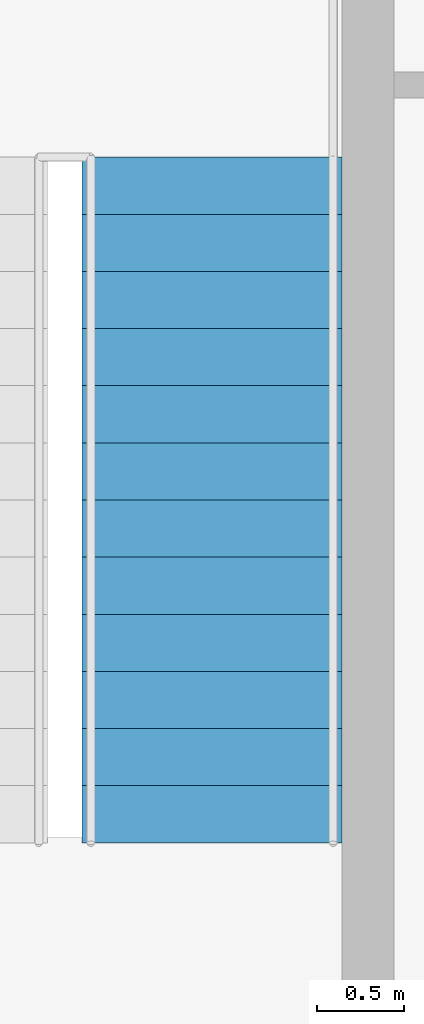
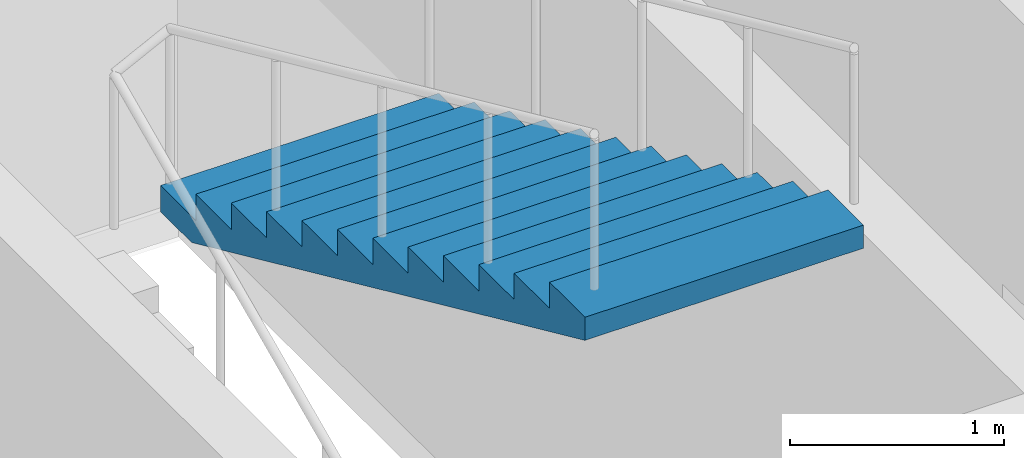
# One storey, part 10 of 11: 1 stair flight, 1 element without a shape of its own.
"""IFC4 building model written with IfcOpenShell, lengths in metres."""

from ifc_helpers import new_model, si_unit, direction, frame, origin, place, context, subcontext, project, spatial, polygons, material, type_object, element, aggregate, save


model = new_model("IFC4")

# Units and contexts
model_context = context("Model", 3, precision=1e-05, world=origin(), true_north=direction((0.0, 1.0)))
body_context = subcontext(model_context, "Body", "Model", "MODEL_VIEW")
ifc_project = project(units=[si_unit("LENGTHUNIT", "METRE"), si_unit("AREAUNIT", "SQUARE_METRE"), si_unit("VOLUMEUNIT", "CUBIC_METRE"), si_unit("PLANEANGLEUNIT", "RADIAN"), si_unit("MASSUNIT", "GRAM", prefix="KILO")], contexts=[model_context])

# Site, building, storey
site_placement = place(None, origin())
site = spatial("IfcSite", under=ifc_project, at=site_placement, CompositionType="ELEMENT")
building_placement = place(site_placement, origin())
building = spatial("IfcBuilding", under=site, at=building_placement, Name="Njiva Tower", CompositionType="ELEMENT")
storey_placement = place(building_placement, frame((0.0, 0.0, 143.7)))
storey = spatial("IfcBuildingStorey", under=building, at=storey_placement, Name="L30", CompositionType="ELEMENT", Elevation=143.7)

# Stair, stair flight
ifc_material = material(Name="Concrete C40/50", Category="concrete")
stair_type = type_object("IfcStairType", Name="ST4 Exit stair 1500", PredefinedType="HALF_TURN_STAIR", material=ifc_material)
stair_placement = place(storey_placement, origin())
stair = element("IfcStair", 1, at=stair_placement, inside=storey, type_object=stair_type, Name="Stair B", PredefinedType="HALF_TURN_STAIR")
stair_flight_type = type_object("IfcStairFlightType", Name="FL4 Stair flight 1500", PredefinedType="STRAIGHT", material=ifc_material)
stair_flight_placement = place(storey_placement, frame((13.45, 15.06, 1.95), z_axis=(0.0, 0.0, 1.0), x_axis=(0.0, -1.0, 0.0)))
stair_flight = element("IfcStairFlight", 2, at=stair_flight_placement, type_object=stair_flight_type, Name="ST-B flight 2", NumberOfRisers=13, NumberOfTreads=12, PredefinedType="STRAIGHT", RiserHeight=0.15, TreadLength=0.33, context=body_context, shape_type="Tessellation", body=[
    polygons([(0.0, 0.75, 0.0), (0.0, 0.375, 0.0), (0.0, 0.0, 0.0), (0.0, -0.375, 0.0), (0.0, -0.75, 0.0), (0.0, 0.75, 0.15), (0.0, 0.375, 0.15), (0.0, 0.0, 0.15), (0.0, -0.375, 0.15), (0.0, -0.75, 0.15), (0.33, 0.75, 0.15), (0.33, 0.375, 0.15), (0.33, 0.0, 0.15), (0.33, -0.375, 0.15), (0.33, -0.75, 0.15), (0.33, 0.75, 0.3), (0.33, 0.375, 0.3), (0.33, 0.0, 0.3), (0.33, -0.375, 0.3), (0.33, -0.75, 0.3), (0.66, 0.75, 0.3), (0.66, 0.375, 0.3), (0.66, 0.0, 0.3), (0.66, -0.375, 0.3), (0.66, -0.75, 0.3), (0.66, 0.75, 0.45), (0.66, 0.375, 0.45), (0.66, 0.0, 0.45), (0.66, -0.375, 0.45), (0.66, -0.75, 0.45), (0.99, 0.75, 0.45), (0.99, 0.375, 0.45), (0.99, 0.0, 0.45), (0.99, -0.375, 0.45), (0.99, -0.75, 0.45), (0.99, 0.75, 0.6), (0.99, 0.375, 0.6), (0.99, 0.0, 0.6), (0.99, -0.375, 0.6), (0.99, -0.75, 0.6), (1.32, 0.75, 0.6), (1.32, 0.375, 0.6), (1.32, 0.0, 0.6), (1.32, -0.375, 0.6), (1.32, -0.75, 0.6), (1.32, 0.75, 0.75), (1.32, 0.375, 0.75), (1.32, 0.0, 0.75), (1.32, -0.375, 0.75), (1.32, -0.75, 0.75), (1.65, 0.75, 0.75), (1.65, 0.375, 0.75), (1.65, 0.0, 0.75), (1.65, -0.375, 0.75), (1.65, -0.75, 0.75), (1.65, 0.75, 0.9), (1.65, 0.375, 0.9), (1.65, 0.0, 0.9), (1.65, -0.375, 0.9), (1.65, -0.75, 0.9), (1.98, 0.75, 0.9), (1.98, 0.375, 0.9), (1.98, 0.0, 0.9), (1.98, -0.375, 0.9), (1.98, -0.75, 0.9), (1.98, 0.75, 1.05), (1.98, 0.375, 1.05), (1.98, 0.0, 1.05), (1.98, -0.375, 1.05), (1.98, -0.75, 1.05), (2.31, 0.75, 1.05), (2.31, 0.375, 1.05), (2.31, 0.0, 1.05), (2.31, -0.375, 1.05), (2.31, -0.75, 1.05), (2.31, 0.75, 1.2), (2.31, 0.375, 1.2), (2.31, 0.0, 1.2), (2.31, -0.375, 1.2), (2.31, -0.75, 1.2), (2.64, 0.75, 1.2), (2.64, 0.375, 1.2), (2.64, 0.0, 1.2), (2.64, -0.375, 1.2), (2.64, -0.75, 1.2), (2.64, 0.75, 1.35), (2.64, 0.375, 1.35), (2.64, 0.0, 1.35), (2.64, -0.375, 1.35), (2.64, -0.75, 1.35), (2.97, 0.75, 1.35), (2.97, 0.375, 1.35), (2.97, 0.0, 1.35), (2.97, -0.375, 1.35), (2.97, -0.75, 1.35), (2.97, 0.75, 1.5), (2.97, 0.375, 1.5), (2.97, 0.0, 1.5), (2.97, -0.375, 1.5), (2.97, -0.75, 1.5), (3.3, 0.75, 1.5), (3.3, 0.375, 1.5), (3.3, 0.0, 1.5), (3.3, -0.375, 1.5), (3.3, -0.75, 1.5), (3.3, 0.75, 1.65), (3.3, 0.375, 1.65), (3.3, 0.0, 1.65), (3.3, -0.375, 1.65), (3.3, -0.75, 1.65), (3.63, 0.75, 1.65), (3.63, 0.375, 1.65), (3.63, 0.0, 1.65), (3.63, -0.375, 1.65), (3.63, -0.75, 1.65), (3.63, 0.75, 1.8), (3.63, 0.375, 1.8), (3.63, 0.0, 1.8), (3.63, -0.375, 1.8), (3.63, -0.75, 1.8), (3.96, 0.75, 1.8), (3.96, 0.375, 1.8), (3.96, 0.0, 1.8), (3.96, -0.375, 1.8), (3.96, -0.75, 1.8), (3.96, 0.75, 1.6682), (3.96, 0.375, 1.6682), (3.96, 0.0, 1.6682), (3.96, -0.375, 1.6682), (3.96, -0.75, 1.6682), (0.29, 0.75, 0.0), (0.29, 0.375, 0.0), (0.29, 0.0, 0.0), (0.29, -0.375, 0.0), (0.29, -0.75, 0.0)], [[[1, 6, 11, 16, 21, 26, 31, 36, 41, 46, 51, 56, 61, 66, 71, 76, 81, 86, 91, 96, 101, 106, 111, 116, 121, 126, 131]], [[135, 130, 125, 120, 115, 110, 105, 100, 95, 90, 85, 80, 75, 70, 65, 60, 55, 50, 45, 40, 35, 30, 25, 20, 15, 10, 5]], [[6, 1, 2, 7]], [[7, 2, 3, 8]], [[8, 3, 4, 9]], [[9, 4, 5, 10]], [[11, 6, 7, 12]], [[12, 7, 8, 13]], [[13, 8, 9, 14]], [[14, 9, 10, 15]], [[16, 11, 12, 17]], [[17, 12, 13, 18]], [[18, 13, 14, 19]], [[19, 14, 15, 20]], [[21, 16, 17, 22]], [[22, 17, 18, 23]], [[23, 18, 19, 24]], [[24, 19, 20, 25]], [[26, 21, 22, 27]], [[27, 22, 23, 28]], [[28, 23, 24, 29]], [[29, 24, 25, 30]], [[31, 26, 27, 32]], [[32, 27, 28, 33]], [[33, 28, 29, 34]], [[34, 29, 30, 35]], [[36, 31, 32, 37]], [[37, 32, 33, 38]], [[38, 33, 34, 39]], [[39, 34, 35, 40]], [[41, 36, 37, 42]], [[42, 37, 38, 43]], [[43, 38, 39, 44]], [[44, 39, 40, 45]], [[46, 41, 42, 47]], [[47, 42, 43, 48]], [[48, 43, 44, 49]], [[49, 44, 45, 50]], [[51, 46, 47, 52]], [[52, 47, 48, 53]], [[53, 48, 49, 54]], [[54, 49, 50, 55]], [[56, 51, 52, 57]], [[57, 52, 53, 58]], [[58, 53, 54, 59]], [[59, 54, 55, 60]], [[61, 56, 57, 62]], [[62, 57, 58, 63]], [[63, 58, 59, 64]], [[64, 59, 60, 65]], [[66, 61, 62, 67]], [[67, 62, 63, 68]], [[68, 63, 64, 69]], [[69, 64, 65, 70]], [[71, 66, 67, 72]], [[72, 67, 68, 73]], [[73, 68, 69, 74]], [[74, 69, 70, 75]], [[76, 71, 72, 77]], [[77, 72, 73, 78]], [[78, 73, 74, 79]], [[79, 74, 75, 80]], [[81, 76, 77, 82]], [[82, 77, 78, 83]], [[83, 78, 79, 84]], [[84, 79, 80, 85]], [[86, 81, 82, 87]], [[87, 82, 83, 88]], [[88, 83, 84, 89]], [[89, 84, 85, 90]], [[91, 86, 87, 92]], [[92, 87, 88, 93]], [[93, 88, 89, 94]], [[94, 89, 90, 95]], [[96, 91, 92, 97]], [[97, 92, 93, 98]], [[98, 93, 94, 99]], [[99, 94, 95, 100]], [[101, 96, 97, 102]], [[102, 97, 98, 103]], [[103, 98, 99, 104]], [[104, 99, 100, 105]], [[106, 101, 102, 107]], [[107, 102, 103, 108]], [[108, 103, 104, 109]], [[109, 104, 105, 110]], [[111, 106, 107, 112]], [[112, 107, 108, 113]], [[113, 108, 109, 114]], [[114, 109, 110, 115]], [[116, 111, 112, 117]], [[117, 112, 113, 118]], [[118, 113, 114, 119]], [[119, 114, 115, 120]], [[121, 116, 117, 122]], [[122, 117, 118, 123]], [[123, 118, 119, 124]], [[124, 119, 120, 125]], [[126, 121, 122, 127]], [[127, 122, 123, 128]], [[128, 123, 124, 129]], [[129, 124, 125, 130]], [[131, 126, 127, 132]], [[132, 127, 128, 133]], [[133, 128, 129, 134]], [[134, 129, 130, 135]], [[1, 131, 132, 2]], [[2, 132, 133, 3]], [[3, 133, 134, 4]], [[4, 134, 135, 5]]], closed=True),
])
aggregate(stair, [stair_flight])

save(model, "model.ifc")
